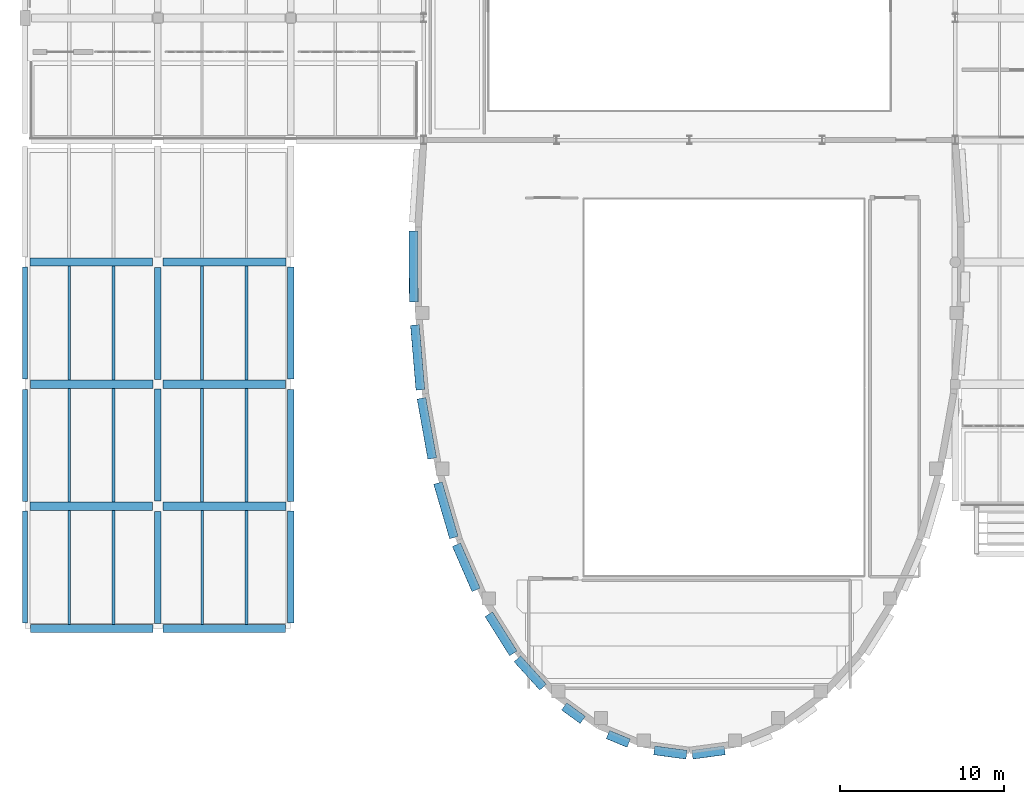
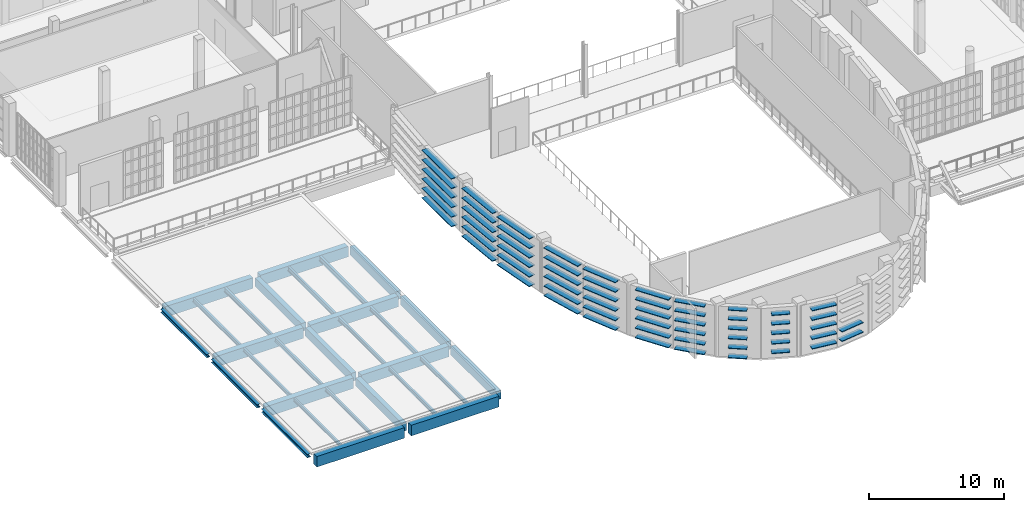
# One storey, part 9 of 104: 60 members, 29 beams.
"""IFC4 building model written with IfcOpenShell, lengths in metres."""

from ifc_helpers import new_model, si_unit, direction, frame, origin, origin_2d, place, context, subcontext, project, spatial, rectangle, hollow_rectangle, i_section, extrude, material, material_profile, profile_set, type_object, element, save


model = new_model("IFC4")

# Units and contexts
model_context = context("Model", 3, precision=1e-05, world=origin(), true_north=direction((0.0, 1.0)))
body_context = subcontext(model_context, "Body", "Model", "MODEL_VIEW")
ifc_project = project(units=[si_unit("LENGTHUNIT", "METRE"), si_unit("AREAUNIT", "SQUARE_METRE"), si_unit("VOLUMEUNIT", "CUBIC_METRE"), si_unit("PLANEANGLEUNIT", "RADIAN"), si_unit("MASSUNIT", "GRAM", prefix="KILO")], contexts=[model_context])

# Site, building, storey
site_placement = place(None, origin())
site = spatial("IfcSite", under=ifc_project, at=site_placement, CompositionType="ELEMENT")
building_placement = place(site_placement, origin())
building = spatial("IfcBuilding", under=site, at=building_placement, Name="Kaelora Sail Theatre", CompositionType="ELEMENT")
storey_placement = place(building_placement, frame((0.0, 0.0, 5.39990234375)))
storey = spatial("IfcBuildingStorey", under=building, at=storey_placement, Name="L01", CompositionType="ELEMENT", Elevation=5.39990234375)

# Members
ifc_material_1 = material(Name="Anodised aluminium 6063-T6", Category="aluminium")
ifc_material_profile_1 = material_profile(ifc_material_1, hollow_rectangle(XDim=0.550048828125, YDim=0.06494140625, WallThickness=0.00390625, InnerFilletRadius=0.00390625, OuterFilletRadius=0.008056640625, at=origin_2d()), Name="LOUVRE 550x65x4")
ifc_profile_set_1 = profile_set([ifc_material_profile_1], Name="Anodised aluminium 6063-T6")
member_type = type_object("IfcMemberType", Name="ARC-MEM-LVR-300", PredefinedType="USERDEFINED", material=ifc_profile_set_1)
for number, where, z_axis, x_axis, name in (
    (1, (44.1484375, 23.82666015625, 0.630126953125), (-0.991052229698, -0.133474634331, 0.0), (0.133474634331, -0.991052229698, 0.0), "Main Theatre Sail Drum horizontal solar louvre C11-04"),
    (2, (44.1484375, 23.82666015625, 1.489990234375), (-0.991052229698, -0.133474634331, 0.0), (0.133474634331, -0.991052229698, 0.0), "Main Theatre Sail Drum horizontal solar louvre C11-05"),
    (3, (41.822021484375, 23.561279296875, 0.630126953125), (-0.991052229698, 0.133474634331, 0.0), (-0.133474634331, -0.991052229698, 0.0), "Main Theatre Sail Drum horizontal solar louvre C12-04"),
    (4, (41.822021484375, 23.561279296875, 1.489990234375), (-0.991052229698, 0.133474634331, 0.0), (-0.133474634331, -0.991052229698, 0.0), "Main Theatre Sail Drum horizontal solar louvre C12-05"),
    (5, (41.822021484375, 23.561279296875, 2.35009765625), (-0.991052229698, 0.133474634331, 0.0), (-0.133474634331, -0.991052229698, 0.0), "Main Theatre Sail Drum horizontal solar louvre C12-06"),
    (6, (41.822021484375, 23.561279296875, 3.210205078125), (-0.991052229698, 0.133474634331, 0.0), (-0.133474634331, -0.991052229698, 0.0), "Main Theatre Sail Drum horizontal solar louvre C12-07"),
    (7, (41.822021484375, 23.561279296875, 4.070068359375), (-0.991052229698, 0.133474634331, 0.0), (-0.133474634331, -0.991052229698, 0.0), "Main Theatre Sail Drum horizontal solar louvre C12-08"),
):
    element("IfcMember", number, at=place(storey_placement, frame(where, z_axis=z_axis, x_axis=x_axis)), inside=storey, type_object=member_type, Name=name, ObjectType="LOUVRE", PredefinedType="USERDEFINED", context=body_context, shape_type="SweptSolid", body=[
        extrude(hollow_rectangle(XDim=0.550048828125, YDim=0.06494140625, WallThickness=0.00390625, InnerFilletRadius=0.00390625, OuterFilletRadius=0.008056640625, at=origin_2d()), origin(), (0.0, 0.0, 1.0), 1.98828125),
    ])
for number, where, z_axis, x_axis, name in (
    (8, (38.298583984375, 24.263671875, 0.630126953125), (-0.923925927829, 0.382571404949, 0.0), (-0.382571404949, -0.923925927829, 0.0), "Main Theatre Sail Drum horizontal solar louvre C13-04"),
    (9, (38.298583984375, 24.263671875, 1.489990234375), (-0.923925927829, 0.382571404949, 0.0), (-0.382571404949, -0.923925927829, 0.0), "Main Theatre Sail Drum horizontal solar louvre C13-05"),
    (10, (38.298583984375, 24.263671875, 2.35009765625), (-0.923925927829, 0.382571404949, 0.0), (-0.382571404949, -0.923925927829, 0.0), "Main Theatre Sail Drum horizontal solar louvre C13-06"),
    (11, (38.298583984375, 24.263671875, 3.210205078125), (-0.923925927829, 0.382571404949, 0.0), (-0.382571404949, -0.923925927829, 0.0), "Main Theatre Sail Drum horizontal solar louvre C13-07"),
    (12, (38.298583984375, 24.263671875, 4.070068359375), (-0.923925927829, 0.382571404949, 0.0), (-0.382571404949, -0.923925927829, 0.0), "Main Theatre Sail Drum horizontal solar louvre C13-08"),
):
    element("IfcMember", number, at=place(storey_placement, frame(where, z_axis=z_axis, x_axis=x_axis)), inside=storey, type_object=member_type, Name=name, ObjectType="LOUVRE", PredefinedType="USERDEFINED", context=body_context, shape_type="SweptSolid", body=[
        extrude(hollow_rectangle(XDim=0.550048828125, YDim=0.06494140625, WallThickness=0.00390625, InnerFilletRadius=0.00390625, OuterFilletRadius=0.008056640625, at=origin_2d()), origin(), (0.0, 0.0, 1.0), 1.37451171875),
    ])
for number, where, z_axis, x_axis, name in (
    (13, (35.500732421875, 25.6796875, 0.150146484375), (-0.808991251883, 0.587820682162, 0.0), (-0.587820682162, -0.808991251883, 0.0), "Main Theatre Sail Drum horizontal solar louvre C14-06"),
    (14, (35.500732421875, 25.6796875, 1.010009765625), (-0.808991251883, 0.587820682162, 0.0), (-0.587820682162, -0.808991251883, 0.0), "Main Theatre Sail Drum horizontal solar louvre C14-07"),
    (15, (35.500732421875, 25.6796875, 1.8701171875), (-0.808991251883, 0.587820682162, 0.0), (-0.587820682162, -0.808991251883, 0.0), "Main Theatre Sail Drum horizontal solar louvre C14-08"),
    (16, (35.500732421875, 25.6796875, 2.72998046875), (-0.808991251883, 0.587820682162, 0.0), (-0.587820682162, -0.808991251883, 0.0), "Main Theatre Sail Drum horizontal solar louvre C14-09"),
    (17, (35.500732421875, 25.6796875, 3.590087890625), (-0.808991251883, 0.587820682162, 0.0), (-0.587820682162, -0.808991251883, 0.0), "Main Theatre Sail Drum horizontal solar louvre C14-10"),
    (18, (35.500732421875, 25.6796875, 4.4501953125), (-0.808991251883, 0.587820682162, 0.0), (-0.587820682162, -0.808991251883, 0.0), "Main Theatre Sail Drum horizontal solar louvre C14-11"),
):
    element("IfcMember", number, at=place(storey_placement, frame(where, z_axis=z_axis, x_axis=x_axis)), inside=storey, type_object=member_type, Name=name, ObjectType="LOUVRE", PredefinedType="USERDEFINED", context=body_context, shape_type="SweptSolid", body=[
        extrude(hollow_rectangle(XDim=0.550048828125, YDim=0.06494140625, WallThickness=0.00390625, InnerFilletRadius=0.00390625, OuterFilletRadius=0.008056640625, at=origin_2d()), origin(), (0.0, 0.0, 1.0), 1.40625),
    ])
for number, where, z_axis, x_axis, name in (
    (19, (33.080078125, 27.680419921875, 0.150146484375), (-0.671589400994, 0.740923529437, 0.0), (-0.740923529437, -0.671589400994, 0.0), "Main Theatre Sail Drum horizontal solar louvre C15-06"),
    (20, (33.080078125, 27.680419921875, 1.010009765625), (-0.671589400994, 0.740923529437, 0.0), (-0.740923529437, -0.671589400994, 0.0), "Main Theatre Sail Drum horizontal solar louvre C15-07"),
    (21, (33.080078125, 27.680419921875, 1.8701171875), (-0.671589400994, 0.740923529437, 0.0), (-0.740923529437, -0.671589400994, 0.0), "Main Theatre Sail Drum horizontal solar louvre C15-08"),
    (22, (33.080078125, 27.680419921875, 2.72998046875), (-0.671589400994, 0.740923529437, 0.0), (-0.740923529437, -0.671589400994, 0.0), "Main Theatre Sail Drum horizontal solar louvre C15-09"),
    (23, (33.080078125, 27.680419921875, 3.590087890625), (-0.671589400994, 0.740923529437, 0.0), (-0.740923529437, -0.671589400994, 0.0), "Main Theatre Sail Drum horizontal solar louvre C15-10"),
    (24, (33.080078125, 27.680419921875, 4.4501953125), (-0.671589400994, 0.740923529437, 0.0), (-0.740923529437, -0.671589400994, 0.0), "Main Theatre Sail Drum horizontal solar louvre C15-11"),
):
    element("IfcMember", number, at=place(storey_placement, frame(where, z_axis=z_axis, x_axis=x_axis)), inside=storey, type_object=member_type, Name=name, ObjectType="LOUVRE", PredefinedType="USERDEFINED", context=body_context, shape_type="SweptSolid", body=[
        extrude(hollow_rectangle(XDim=0.550048828125, YDim=0.06494140625, WallThickness=0.00390625, InnerFilletRadius=0.00390625, OuterFilletRadius=0.008056640625, at=origin_2d()), origin(), (0.0, 0.0, 1.0), 2.33447265625),
    ])
for number, where, z_axis, x_axis, name in (
    (25, (31.267333984375, 29.735595703125, 0.150146484375), (-0.531266918629, 0.847204497846, 0.0), (-0.847204497846, -0.531266918629, 0.0), "Main Theatre Sail Drum horizontal solar louvre C16-06"),
    (26, (31.267333984375, 29.735595703125, 1.010009765625), (-0.531266918629, 0.847204497846, 0.0), (-0.847204497846, -0.531266918629, 0.0), "Main Theatre Sail Drum horizontal solar louvre C16-07"),
    (27, (31.267333984375, 29.735595703125, 1.8701171875), (-0.531266918629, 0.847204497846, 0.0), (-0.847204497846, -0.531266918629, 0.0), "Main Theatre Sail Drum horizontal solar louvre C16-08"),
    (28, (31.267333984375, 29.735595703125, 2.72998046875), (-0.531266918629, 0.847204497846, 0.0), (-0.847204497846, -0.531266918629, 0.0), "Main Theatre Sail Drum horizontal solar louvre C16-09"),
    (29, (31.267333984375, 29.735595703125, 3.590087890625), (-0.531266918629, 0.847204497846, 0.0), (-0.847204497846, -0.531266918629, 0.0), "Main Theatre Sail Drum horizontal solar louvre C16-10"),
    (30, (31.267333984375, 29.735595703125, 4.4501953125), (-0.531266918629, 0.847204497846, 0.0), (-0.847204497846, -0.531266918629, 0.0), "Main Theatre Sail Drum horizontal solar louvre C16-11"),
):
    element("IfcMember", number, at=place(storey_placement, frame(where, z_axis=z_axis, x_axis=x_axis)), inside=storey, type_object=member_type, Name=name, ObjectType="LOUVRE", PredefinedType="USERDEFINED", context=body_context, shape_type="SweptSolid", body=[
        extrude(hollow_rectangle(XDim=0.550048828125, YDim=0.06494140625, WallThickness=0.00390625, InnerFilletRadius=0.00390625, OuterFilletRadius=0.008056640625, at=origin_2d()), origin(), (0.0, 0.0, 1.0), 2.81982421875),
    ])
for number, where, z_axis, x_axis, name in (
    (31, (28.999755859375, 33.605224609375, 0.150146484375), (-0.399228207285, 0.91685159023, 0.0), (-0.91685159023, -0.399228207285, 0.0), "Main Theatre Sail Drum horizontal solar louvre C17-06"),
    (32, (28.999755859375, 33.605224609375, 1.010009765625), (-0.399228207285, 0.91685159023, 0.0), (-0.91685159023, -0.399228207285, 0.0), "Main Theatre Sail Drum horizontal solar louvre C17-07"),
    (33, (28.999755859375, 33.605224609375, 1.8701171875), (-0.399228207285, 0.91685159023, 0.0), (-0.91685159023, -0.399228207285, 0.0), "Main Theatre Sail Drum horizontal solar louvre C17-08"),
    (34, (28.999755859375, 33.605224609375, 2.72998046875), (-0.399228207285, 0.91685159023, 0.0), (-0.91685159023, -0.399228207285, 0.0), "Main Theatre Sail Drum horizontal solar louvre C17-09"),
    (35, (28.999755859375, 33.605224609375, 3.590087890625), (-0.399228207285, 0.91685159023, 0.0), (-0.91685159023, -0.399228207285, 0.0), "Main Theatre Sail Drum horizontal solar louvre C17-10"),
    (36, (28.999755859375, 33.605224609375, 4.4501953125), (-0.399228207285, 0.91685159023, 0.0), (-0.91685159023, -0.399228207285, 0.0), "Main Theatre Sail Drum horizontal solar louvre C17-11"),
):
    element("IfcMember", number, at=place(storey_placement, frame(where, z_axis=z_axis, x_axis=x_axis)), inside=storey, type_object=member_type, Name=name, ObjectType="LOUVRE", PredefinedType="USERDEFINED", context=body_context, shape_type="SweptSolid", body=[
        extrude(hollow_rectangle(XDim=0.550048828125, YDim=0.06494140625, WallThickness=0.00390625, InnerFilletRadius=0.00390625, OuterFilletRadius=0.008056640625, at=origin_2d()), origin(), (0.0, 0.0, 1.0), 3.00439453125),
    ])
for number, where, z_axis, x_axis, name in (
    (37, (27.644287109375, 36.793212890625, 0.150146484375), (-0.280281368484, 0.959917889447, 0.0), (-0.959917889447, -0.280281368484, 0.0), "Main Theatre Sail Drum horizontal solar louvre C18-06"),
    (38, (27.644287109375, 36.793212890625, 1.010009765625), (-0.280281368484, 0.959917889447, 0.0), (-0.959917889447, -0.280281368484, 0.0), "Main Theatre Sail Drum horizontal solar louvre C18-07"),
    (39, (27.644287109375, 36.793212890625, 1.8701171875), (-0.280281368484, 0.959917889447, 0.0), (-0.959917889447, -0.280281368484, 0.0), "Main Theatre Sail Drum horizontal solar louvre C18-08"),
    (40, (27.644287109375, 36.793212890625, 2.72998046875), (-0.280281368484, 0.959917889447, 0.0), (-0.959917889447, -0.280281368484, 0.0), "Main Theatre Sail Drum horizontal solar louvre C18-09"),
    (41, (27.644287109375, 36.793212890625, 3.590087890625), (-0.280281368484, 0.959917889447, 0.0), (-0.959917889447, -0.280281368484, 0.0), "Main Theatre Sail Drum horizontal solar louvre C18-10"),
    (42, (27.644287109375, 36.793212890625, 4.4501953125), (-0.280281368484, 0.959917889447, 0.0), (-0.959917889447, -0.280281368484, 0.0), "Main Theatre Sail Drum horizontal solar louvre C18-11"),
):
    element("IfcMember", number, at=place(storey_placement, frame(where, z_axis=z_axis, x_axis=x_axis)), inside=storey, type_object=member_type, Name=name, ObjectType="LOUVRE", PredefinedType="USERDEFINED", context=body_context, shape_type="SweptSolid", body=[
        extrude(hollow_rectangle(XDim=0.550048828125, YDim=0.06494140625, WallThickness=0.00390625, InnerFilletRadius=0.00390625, OuterFilletRadius=0.008056640625, at=origin_2d()), origin(), (0.0, 0.0, 1.0), 3.465087890625),
    ])
for number, where, z_axis, x_axis, name in (
    (43, (26.32421875, 41.61279296875, 0.150146484375), (-0.175566335005, 0.984467603333, 0.0), (-0.984467603333, -0.175566335005, 0.0), "Main Theatre Sail Drum horizontal solar louvre C19-06"),
    (44, (26.32421875, 41.61279296875, 1.010009765625), (-0.175566335005, 0.984467603333, 0.0), (-0.984467603333, -0.175566335005, 0.0), "Main Theatre Sail Drum horizontal solar louvre C19-07"),
    (45, (26.32421875, 41.61279296875, 1.8701171875), (-0.175566335005, 0.984467603333, 0.0), (-0.984467603333, -0.175566335005, 0.0), "Main Theatre Sail Drum horizontal solar louvre C19-08"),
    (46, (26.32421875, 41.61279296875, 2.72998046875), (-0.175566335005, 0.984467603333, 0.0), (-0.984467603333, -0.175566335005, 0.0), "Main Theatre Sail Drum horizontal solar louvre C19-09"),
    (47, (26.32421875, 41.61279296875, 3.590087890625), (-0.175566335005, 0.984467603333, 0.0), (-0.984467603333, -0.175566335005, 0.0), "Main Theatre Sail Drum horizontal solar louvre C19-10"),
    (48, (26.32421875, 41.61279296875, 4.4501953125), (-0.175566335005, 0.984467603333, 0.0), (-0.984467603333, -0.175566335005, 0.0), "Main Theatre Sail Drum horizontal solar louvre C19-11"),
):
    element("IfcMember", number, at=place(storey_placement, frame(where, z_axis=z_axis, x_axis=x_axis)), inside=storey, type_object=member_type, Name=name, ObjectType="LOUVRE", PredefinedType="USERDEFINED", context=body_context, shape_type="SweptSolid", body=[
        extrude(hollow_rectangle(XDim=0.550048828125, YDim=0.06494140625, WallThickness=0.00390625, InnerFilletRadius=0.00390625, OuterFilletRadius=0.008056640625, at=origin_2d()), origin(), (0.0, 0.0, 1.0), 3.7294921875),
    ])
for number, where, z_axis, x_axis, name in (
    (49, (25.603515625, 45.791748046875, 0.150146484375), (-0.084261045618, 0.996443714512, 0.0), (-0.996443714512, -0.084261045618, 0.0), "Main Theatre Sail Drum horizontal solar louvre C20-06"),
    (50, (25.603515625, 45.791748046875, 1.010009765625), (-0.084261045618, 0.996443714512, 0.0), (-0.996443714512, -0.084261045618, 0.0), "Main Theatre Sail Drum horizontal solar louvre C20-07"),
    (51, (25.603515625, 45.791748046875, 1.8701171875), (-0.084261045618, 0.996443714512, 0.0), (-0.996443714512, -0.084261045618, 0.0), "Main Theatre Sail Drum horizontal solar louvre C20-08"),
    (52, (25.603515625, 45.791748046875, 2.72998046875), (-0.084261045618, 0.996443714512, 0.0), (-0.996443714512, -0.084261045618, 0.0), "Main Theatre Sail Drum horizontal solar louvre C20-09"),
    (53, (25.603515625, 45.791748046875, 3.590087890625), (-0.084261045618, 0.996443714512, 0.0), (-0.996443714512, -0.084261045618, 0.0), "Main Theatre Sail Drum horizontal solar louvre C20-10"),
    (54, (25.603515625, 45.791748046875, 4.4501953125), (-0.084261045618, 0.996443714512, 0.0), (-0.996443714512, -0.084261045618, 0.0), "Main Theatre Sail Drum horizontal solar louvre C20-11"),
):
    element("IfcMember", number, at=place(storey_placement, frame(where, z_axis=z_axis, x_axis=x_axis)), inside=storey, type_object=member_type, Name=name, ObjectType="LOUVRE", PredefinedType="USERDEFINED", context=body_context, shape_type="SweptSolid", body=[
        extrude(hollow_rectangle(XDim=0.550048828125, YDim=0.06494140625, WallThickness=0.00390625, InnerFilletRadius=0.00390625, OuterFilletRadius=0.008056640625, at=origin_2d()), origin(), (0.0, 0.0, 1.0), 3.972412109375),
    ])
for number, where, z_axis, x_axis, name in (
    (55, (25.2001953125, 51.141845703125, 0.150146484375), (-0.004856504733, 0.999988207111, 0.0), (-0.999988207111, -0.004856504733, 0.0), "Main Theatre Sail Drum horizontal solar louvre C21-06"),
    (56, (25.2001953125, 51.141845703125, 1.010009765625), (-0.004856504733, 0.999988207111, 0.0), (-0.999988207111, -0.004856504733, 0.0), "Main Theatre Sail Drum horizontal solar louvre C21-07"),
    (57, (25.2001953125, 51.141845703125, 1.8701171875), (-0.004856504733, 0.999988207111, 0.0), (-0.999988207111, -0.004856504733, 0.0), "Main Theatre Sail Drum horizontal solar louvre C21-08"),
    (58, (25.2001953125, 51.141845703125, 2.72998046875), (-0.004856504733, 0.999988207111, 0.0), (-0.999988207111, -0.004856504733, 0.0), "Main Theatre Sail Drum horizontal solar louvre C21-09"),
    (59, (25.2001953125, 51.141845703125, 3.590087890625), (-0.004856504733, 0.999988207111, 0.0), (-0.999988207111, -0.004856504733, 0.0), "Main Theatre Sail Drum horizontal solar louvre C21-10"),
    (60, (25.2001953125, 51.141845703125, 4.4501953125), (-0.004856504733, 0.999988207111, 0.0), (-0.999988207111, -0.004856504733, 0.0), "Main Theatre Sail Drum horizontal solar louvre C21-11"),
):
    element("IfcMember", number, at=place(storey_placement, frame(where, z_axis=z_axis, x_axis=x_axis)), inside=storey, type_object=member_type, Name=name, ObjectType="LOUVRE", PredefinedType="USERDEFINED", context=body_context, shape_type="SweptSolid", body=[
        extrude(hollow_rectangle(XDim=0.550048828125, YDim=0.06494140625, WallThickness=0.00390625, InnerFilletRadius=0.00390625, OuterFilletRadius=0.008056640625, at=origin_2d()), origin(), (0.0, 0.0, 1.0), 4.3232421875),
    ])

# Beams
ifc_material_2 = material(Name="Steel S355", Category="steel")
ifc_material_profile_2 = material_profile(ifc_material_2, i_section(OverallWidth=0.18994140625, OverallDepth=0.449951171875, WebThickness=0.009521484375, FlangeThickness=0.0146484375, FilletRadius=0.02099609375, at=origin_2d()), Name="IPE 450")
ifc_profile_set_2 = profile_set([ifc_material_profile_2], Name="Steel S355")
beam_type_1 = type_object("IfcBeamType", Name="STR-BM-BM-IPE450", PredefinedType="BEAM", material=ifc_profile_set_2)
beam_1_placement = place(storey_placement, frame((15.0, 46.389892578125, -0.52001953125), z_axis=(0.0, 1.0, 0.0), x_axis=(-1.0, 0.0, 0.0)))
element("IfcBeam", 61, at=beam_1_placement, inside=storey, type_object=beam_type_1, Name="Secondary floor joist 2/G-2 (L01)", PredefinedType="BEAM", context=body_context, shape_type="SweptSolid", body=[
    extrude(i_section(OverallWidth=0.18994140625, OverallDepth=0.449951171875, WebThickness=0.009521484375, FlangeThickness=0.0146484375, FilletRadius=0.02099609375, at=origin_2d()), origin(), (0.0, 0.0, 1.0), 6.940185546875),
])
ifc_material_3 = material(Name="Concrete C40/50", Category="concrete")
ifc_material_profile_3 = material_profile(ifc_material_3, rectangle(XDim=0.39990234375, YDim=0.75, at=origin_2d()), Name="RC-BM 400x750")
ifc_profile_set_3 = profile_set([ifc_material_profile_3], Name="Concrete C40/50")
beam_type_2 = type_object("IfcBeamType", Name="STR-BM-BM-RC4075", PredefinedType="BEAM", material=ifc_profile_set_3)
beam_2_placement = place(storey_placement, frame((9.60009765625, 31.56005859375, -0.669921875), z_axis=(0.0, 1.0, 0.0), x_axis=(-1.0, 0.0, 0.0)))
element("IfcBeam", 62, at=beam_2_placement, inside=storey, type_object=beam_type_2, Name="Primary beam 2 E-F (L01)", PredefinedType="BEAM", context=body_context, shape_type="SweptSolid", body=[
    extrude(rectangle(XDim=0.39990234375, YDim=0.75, at=origin_2d()), origin(), (0.0, 0.0, 1.0), 6.81494140625),
])
beam_3_placement = place(storey_placement, frame((9.60009765625, 39.02490234375, -0.669921875), z_axis=(0.0, 1.0, 0.0), x_axis=(-1.0, 0.0, 0.0)))
element("IfcBeam", 63, at=beam_3_placement, inside=storey, type_object=beam_type_2, Name="Primary beam 2 F-G (L01)", PredefinedType="BEAM", context=body_context, shape_type="SweptSolid", body=[
    extrude(rectangle(XDim=0.39990234375, YDim=0.75, at=origin_2d()), origin(), (0.0, 0.0, 1.0), 6.815185546875),
])
for number, where, z_axis, x_axis, name in (
    (64, (9.60009765625, 46.43994140625, -0.669921875), (0.0, 1.0, 0.0), (-1.0, 0.0, 0.0), "Primary beam 2 G-H (L01)"),
    (65, (17.699951171875, 31.5849609375, -0.669921875), (0.0, 1.0, 0.0), (-1.0, 0.0, 0.0), "Primary beam 3 E-F (L01)"),
    (66, (17.699951171875, 39.0, -0.669921875), (0.0, 1.0, 0.0), (-1.0, 0.0, 0.0), "Primary beam 3 F-G (L01)"),
    (67, (17.699951171875, 46.465087890625, -0.669921875), (0.0, 1.0, 0.0), (-1.0, 0.0, 0.0), "Primary beam 3 G-H (L01)"),
):
    element("IfcBeam", number, at=place(storey_placement, frame(where, z_axis=z_axis, x_axis=x_axis)), inside=storey, type_object=beam_type_2, Name=name, PredefinedType="BEAM", context=body_context, shape_type="SweptSolid", body=[
        extrude(rectangle(XDim=0.39990234375, YDim=0.75, at=origin_2d()), origin(), (0.0, 0.0, 1.0), 6.81494140625),
    ])
ifc_material_4 = material(Name="Concrete C45/55", Category="concrete")
ifc_material_profile_4 = material_profile(ifc_material_4, rectangle(XDim=0.5, YDim=0.949951171875, at=origin_2d()), Name="RC-GRD 500x950")
ifc_profile_set_4 = profile_set([ifc_material_profile_4], Name="Concrete C45/55")
beam_type_3 = type_object("IfcBeamType", Name="STR-BM-GR-RC5095", PredefinedType="T_BEAM", material=ifc_profile_set_4)
beam_4_placement = place(storey_placement, frame((1.824951171875, 31.260009765625, -0.77001953125), z_axis=(1.0, 0.0, 0.0), x_axis=(0.0, 1.0, 0.0)))
element("IfcBeam", 68, at=beam_4_placement, inside=storey, type_object=beam_type_3, Name="Primary beam E 1-2 (L01)", PredefinedType="T_BEAM", context=body_context, shape_type="SweptSolid", body=[
    extrude(rectangle(XDim=0.5, YDim=0.949951171875, at=origin_2d()), origin(), (0.0, 0.0, 1.0), 7.47509765625),
])
beam_5_placement = place(storey_placement, frame((1.800048828125, 38.699951171875, -0.77001953125), z_axis=(1.0, 0.0, 0.0), x_axis=(0.0, 1.0, 0.0)))
element("IfcBeam", 69, at=beam_5_placement, inside=storey, type_object=beam_type_3, Name="Primary beam F 1-2 (L01)", PredefinedType="T_BEAM", context=body_context, shape_type="SweptSolid", body=[
    extrude(rectangle(XDim=0.5, YDim=0.949951171875, at=origin_2d()), origin(), (0.0, 0.0, 1.0), 7.474853515625),
])
beam_6_placement = place(storey_placement, frame((1.824951171875, 46.139892578125, -0.77001953125), z_axis=(1.0, 0.0, 0.0), x_axis=(0.0, 1.0, 0.0)))
element("IfcBeam", 70, at=beam_6_placement, inside=storey, type_object=beam_type_3, Name="Primary beam G 1-2 (L01)", PredefinedType="T_BEAM", context=body_context, shape_type="SweptSolid", body=[
    extrude(rectangle(XDim=0.5, YDim=0.949951171875, at=origin_2d()), origin(), (0.0, 0.0, 1.0), 7.47509765625),
])
beam_7_placement = place(storey_placement, frame((1.800048828125, 53.580078125, -0.77001953125), z_axis=(1.0, 0.0, 0.0), x_axis=(0.0, 1.0, 0.0)))
element("IfcBeam", 71, at=beam_7_placement, inside=storey, type_object=beam_type_3, Name="Primary beam H 1-2 (L01)", PredefinedType="T_BEAM", context=body_context, shape_type="SweptSolid", body=[
    extrude(rectangle(XDim=0.5, YDim=0.949951171875, at=origin_2d()), origin(), (0.0, 0.0, 1.0), 7.474853515625),
])
beam_8_placement = place(storey_placement, frame((9.89990234375, 31.260009765625, -0.77001953125), z_axis=(1.0, 0.0, 0.0), x_axis=(0.0, 1.0, 0.0)))
element("IfcBeam", 72, at=beam_8_placement, inside=storey, type_object=beam_type_3, Name="Primary beam E 2-3 (L01)", PredefinedType="T_BEAM", context=body_context, shape_type="SweptSolid", body=[
    extrude(rectangle(XDim=0.5, YDim=0.949951171875, at=origin_2d()), origin(), (0.0, 0.0, 1.0), 7.47509765625),
])
beam_9_placement = place(storey_placement, frame((9.925048828125, 38.699951171875, -0.77001953125), z_axis=(1.0, 0.0, 0.0), x_axis=(0.0, 1.0, 0.0)))
element("IfcBeam", 73, at=beam_9_placement, inside=storey, type_object=beam_type_3, Name="Primary beam F 2-3 (L01)", PredefinedType="T_BEAM", context=body_context, shape_type="SweptSolid", body=[
    extrude(rectangle(XDim=0.5, YDim=0.949951171875, at=origin_2d()), origin(), (0.0, 0.0, 1.0), 7.474853515625),
])
beam_10_placement = place(storey_placement, frame((9.89990234375, 46.139892578125, -0.77001953125), z_axis=(1.0, 0.0, 0.0), x_axis=(0.0, 1.0, 0.0)))
element("IfcBeam", 74, at=beam_10_placement, inside=storey, type_object=beam_type_3, Name="Primary beam G 2-3 (L01)", PredefinedType="T_BEAM", context=body_context, shape_type="SweptSolid", body=[
    extrude(rectangle(XDim=0.5, YDim=0.949951171875, at=origin_2d()), origin(), (0.0, 0.0, 1.0), 7.47509765625),
])
beam_11_placement = place(storey_placement, frame((9.925048828125, 53.580078125, -0.77001953125), z_axis=(1.0, 0.0, 0.0), x_axis=(0.0, 1.0, 0.0)))
element("IfcBeam", 75, at=beam_11_placement, inside=storey, type_object=beam_type_3, Name="Primary beam H 2-3 (L01)", PredefinedType="T_BEAM", context=body_context, shape_type="SweptSolid", body=[
    extrude(rectangle(XDim=0.5, YDim=0.949951171875, at=origin_2d()), origin(), (0.0, 0.0, 1.0), 7.474853515625),
])
ifc_material_5 = material(Name="Steel S355", Category="steel")
ifc_material_profile_5 = material_profile(ifc_material_5, i_section(OverallWidth=0.14990234375, OverallDepth=0.300048828125, WebThickness=0.007080078125, FlangeThickness=0.0107421875, FilletRadius=0.014892578125, at=origin_2d()), Name="IPE 300")
ifc_profile_set_5 = profile_set([ifc_material_profile_5], Name="Steel S355")
beam_type_4 = type_object("IfcBeamType", Name="STR-BM-JS-IPE300", PredefinedType="JOIST", material=ifc_profile_set_5)
beam_12_placement = place(storey_placement, frame((4.199951171875, 31.510009765625, -0.44482421875), z_axis=(0.0, 1.0, 0.0), x_axis=(-1.0, 0.0, 0.0)))
element("IfcBeam", 76, at=beam_12_placement, inside=storey, type_object=beam_type_4, Name="Secondary floor joist 1/E-1 (L01)", PredefinedType="JOIST", context=body_context, shape_type="SweptSolid", body=[
    extrude(i_section(OverallWidth=0.14990234375, OverallDepth=0.300048828125, WebThickness=0.007080078125, FlangeThickness=0.0107421875, FilletRadius=0.014892578125, at=origin_2d()), origin(), (0.0, 0.0, 1.0), 6.93994140625),
])
ifc_material_6 = material(Name="Steel S355", Category="steel")
ifc_material_profile_6 = material_profile(ifc_material_6, i_section(OverallWidth=0.159912109375, OverallDepth=0.330078125, WebThickness=0.007568359375, FlangeThickness=0.011474609375, FilletRadius=0.01806640625, at=origin_2d()), Name="IPE 330")
ifc_profile_set_6 = profile_set([ifc_material_profile_6], Name="Steel S355")
beam_type_5 = type_object("IfcBeamType", Name="STR-BM-JS-IPE330", PredefinedType="JOIST", material=ifc_profile_set_6)
for number, where, z_axis, x_axis, name in (
    (77, (6.89990234375, 31.510009765625, -0.4599609375), (0.0, 1.0, 0.0), (-1.0, 0.0, 0.0), "Secondary floor joist 1/E-2 (L01)"),
    (78, (4.199951171875, 38.949951171875, -0.4599609375), (0.0, 1.0, 0.0), (-1.0, 0.0, 0.0), "Secondary floor joist 1/F-1 (L01)"),
    (79, (12.300048828125, 31.510009765625, -0.4599609375), (0.0, 1.0, 0.0), (-1.0, 0.0, 0.0), "Secondary floor joist 2/E-1 (L01)"),
):
    element("IfcBeam", number, at=place(storey_placement, frame(where, z_axis=z_axis, x_axis=x_axis)), inside=storey, type_object=beam_type_5, Name=name, PredefinedType="JOIST", context=body_context, shape_type="SweptSolid", body=[
        extrude(i_section(OverallWidth=0.159912109375, OverallDepth=0.330078125, WebThickness=0.007568359375, FlangeThickness=0.011474609375, FilletRadius=0.01806640625, at=origin_2d()), origin(), (0.0, 0.0, 1.0), 6.93994140625),
    ])
ifc_material_7 = material(Name="Steel S355", Category="steel")
ifc_material_profile_7 = material_profile(ifc_material_7, i_section(OverallWidth=0.169921875, OverallDepth=0.360107421875, WebThickness=0.008056640625, FlangeThickness=0.0126953125, FilletRadius=0.01806640625, at=origin_2d()), Name="IPE 360")
ifc_profile_set_7 = profile_set([ifc_material_profile_7], Name="Steel S355")
beam_type_6 = type_object("IfcBeamType", Name="STR-BM-JS-IPE360", PredefinedType="JOIST", material=ifc_profile_set_7)
beam_13_placement = place(storey_placement, frame((6.89990234375, 38.949951171875, -0.474853515625), z_axis=(0.0, 1.0, 0.0), x_axis=(-1.0, 0.0, 0.0)))
element("IfcBeam", 80, at=beam_13_placement, inside=storey, type_object=beam_type_6, Name="Secondary floor joist 1/F-2 (L01)", PredefinedType="JOIST", context=body_context, shape_type="SweptSolid", body=[
    extrude(i_section(OverallWidth=0.169921875, OverallDepth=0.360107421875, WebThickness=0.008056640625, FlangeThickness=0.0126953125, FilletRadius=0.01806640625, at=origin_2d()), origin(), (0.0, 0.0, 1.0), 6.93994140625),
])
beam_14_placement = place(storey_placement, frame((4.199951171875, 46.389892578125, -0.474853515625), z_axis=(0.0, 1.0, 0.0), x_axis=(-1.0, 0.0, 0.0)))
element("IfcBeam", 81, at=beam_14_placement, inside=storey, type_object=beam_type_6, Name="Secondary floor joist 1/G-1 (L01)", PredefinedType="JOIST", context=body_context, shape_type="SweptSolid", body=[
    extrude(i_section(OverallWidth=0.169921875, OverallDepth=0.360107421875, WebThickness=0.008056640625, FlangeThickness=0.0126953125, FilletRadius=0.01806640625, at=origin_2d()), origin(), (0.0, 0.0, 1.0), 6.940185546875),
])
for number, where, z_axis, x_axis, name in (
    (82, (15.0, 31.510009765625, -0.474853515625), (0.0, 1.0, 0.0), (-1.0, 0.0, 0.0), "Secondary floor joist 2/E-2 (L01)"),
    (83, (12.300048828125, 38.949951171875, -0.474853515625), (0.0, 1.0, 0.0), (-1.0, 0.0, 0.0), "Secondary floor joist 2/F-1 (L01)"),
):
    element("IfcBeam", number, at=place(storey_placement, frame(where, z_axis=z_axis, x_axis=x_axis)), inside=storey, type_object=beam_type_6, Name=name, PredefinedType="JOIST", context=body_context, shape_type="SweptSolid", body=[
        extrude(i_section(OverallWidth=0.169921875, OverallDepth=0.360107421875, WebThickness=0.008056640625, FlangeThickness=0.0126953125, FilletRadius=0.01806640625, at=origin_2d()), origin(), (0.0, 0.0, 1.0), 6.93994140625),
    ])
ifc_material_8 = material(Name="Steel S355", Category="steel")
ifc_material_profile_8 = material_profile(ifc_material_8, i_section(OverallWidth=0.179931640625, OverallDepth=0.39990234375, WebThickness=0.008544921875, FlangeThickness=0.013427734375, FilletRadius=0.02099609375, at=origin_2d()), Name="IPE 400")
ifc_profile_set_8 = profile_set([ifc_material_profile_8], Name="Steel S355")
beam_type_7 = type_object("IfcBeamType", Name="STR-BM-JS-IPE400", PredefinedType="JOIST", material=ifc_profile_set_8)
beam_15_placement = place(storey_placement, frame((6.89990234375, 46.389892578125, -0.494873046875), z_axis=(0.0, 1.0, 0.0), x_axis=(-1.0, 0.0, 0.0)))
element("IfcBeam", 84, at=beam_15_placement, inside=storey, type_object=beam_type_7, Name="Secondary floor joist 1/G-2 (L01)", PredefinedType="JOIST", context=body_context, shape_type="SweptSolid", body=[
    extrude(i_section(OverallWidth=0.179931640625, OverallDepth=0.39990234375, WebThickness=0.008544921875, FlangeThickness=0.013427734375, FilletRadius=0.02099609375, at=origin_2d()), origin(), (0.0, 0.0, 1.0), 6.940185546875),
])
beam_16_placement = place(storey_placement, frame((15.0, 38.949951171875, -0.494873046875), z_axis=(0.0, 1.0, 0.0), x_axis=(-1.0, 0.0, 0.0)))
element("IfcBeam", 85, at=beam_16_placement, inside=storey, type_object=beam_type_7, Name="Secondary floor joist 2/F-2 (L01)", PredefinedType="JOIST", context=body_context, shape_type="SweptSolid", body=[
    extrude(i_section(OverallWidth=0.179931640625, OverallDepth=0.39990234375, WebThickness=0.008544921875, FlangeThickness=0.013427734375, FilletRadius=0.02099609375, at=origin_2d()), origin(), (0.0, 0.0, 1.0), 6.93994140625),
])
beam_17_placement = place(storey_placement, frame((12.300048828125, 46.389892578125, -0.494873046875), z_axis=(0.0, 1.0, 0.0), x_axis=(-1.0, 0.0, 0.0)))
element("IfcBeam", 86, at=beam_17_placement, inside=storey, type_object=beam_type_7, Name="Secondary floor joist 2/G-1 (L01)", PredefinedType="JOIST", context=body_context, shape_type="SweptSolid", body=[
    extrude(i_section(OverallWidth=0.179931640625, OverallDepth=0.39990234375, WebThickness=0.008544921875, FlangeThickness=0.013427734375, FilletRadius=0.02099609375, at=origin_2d()), origin(), (0.0, 0.0, 1.0), 6.940185546875),
])
ifc_material_9 = material(Name="Steel S355", Category="steel")
ifc_material_profile_9 = material_profile(ifc_material_9, i_section(OverallWidth=0.300048828125, OverallDepth=0.300048828125, WebThickness=0.010986328125, FlangeThickness=0.01904296875, FilletRadius=0.027099609375, at=origin_2d()), Name="HEB 300")
ifc_profile_set_9 = profile_set([ifc_material_profile_9], Name="Steel S355")
beam_type_8 = type_object("IfcBeamType", Name="STR-BM-SP-HEB300", PredefinedType="SPANDREL", material=ifc_profile_set_9)
for number, where, z_axis, x_axis, name in (
    (87, (1.5, 31.5849609375, -0.44482421875), (0.0, 1.0, 0.0), (-1.0, 0.0, 0.0), "Primary beam 1 E-F (L01)"),
    (88, (1.5, 39.0, -0.44482421875), (0.0, 1.0, 0.0), (-1.0, 0.0, 0.0), "Primary beam 1 F-G (L01)"),
    (89, (1.5, 46.465087890625, -0.44482421875), (0.0, 1.0, 0.0), (-1.0, 0.0, 0.0), "Primary beam 1 G-H (L01)"),
):
    element("IfcBeam", number, at=place(storey_placement, frame(where, z_axis=z_axis, x_axis=x_axis)), inside=storey, type_object=beam_type_8, Name=name, PredefinedType="SPANDREL", context=body_context, shape_type="SweptSolid", body=[
        extrude(i_section(OverallWidth=0.300048828125, OverallDepth=0.300048828125, WebThickness=0.010986328125, FlangeThickness=0.01904296875, FilletRadius=0.027099609375, at=origin_2d()), origin(), (0.0, 0.0, 1.0), 6.81494140625),
    ])

save(model, "model.ifc")
